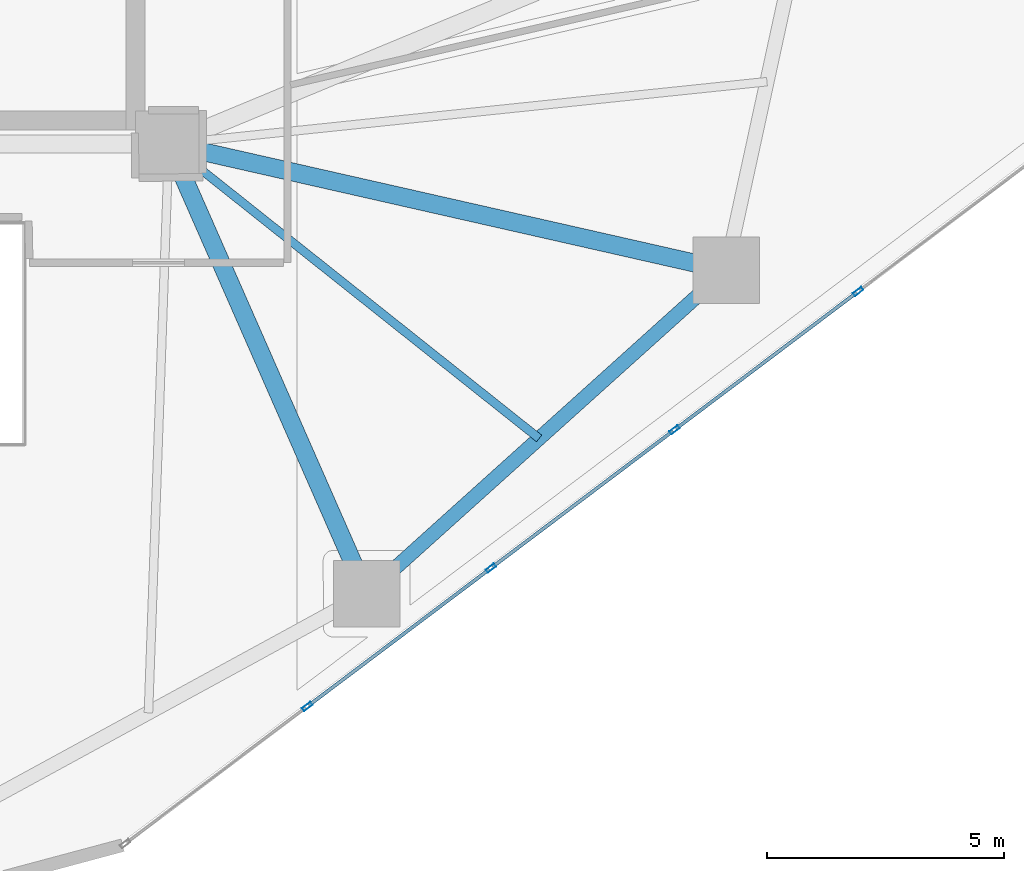
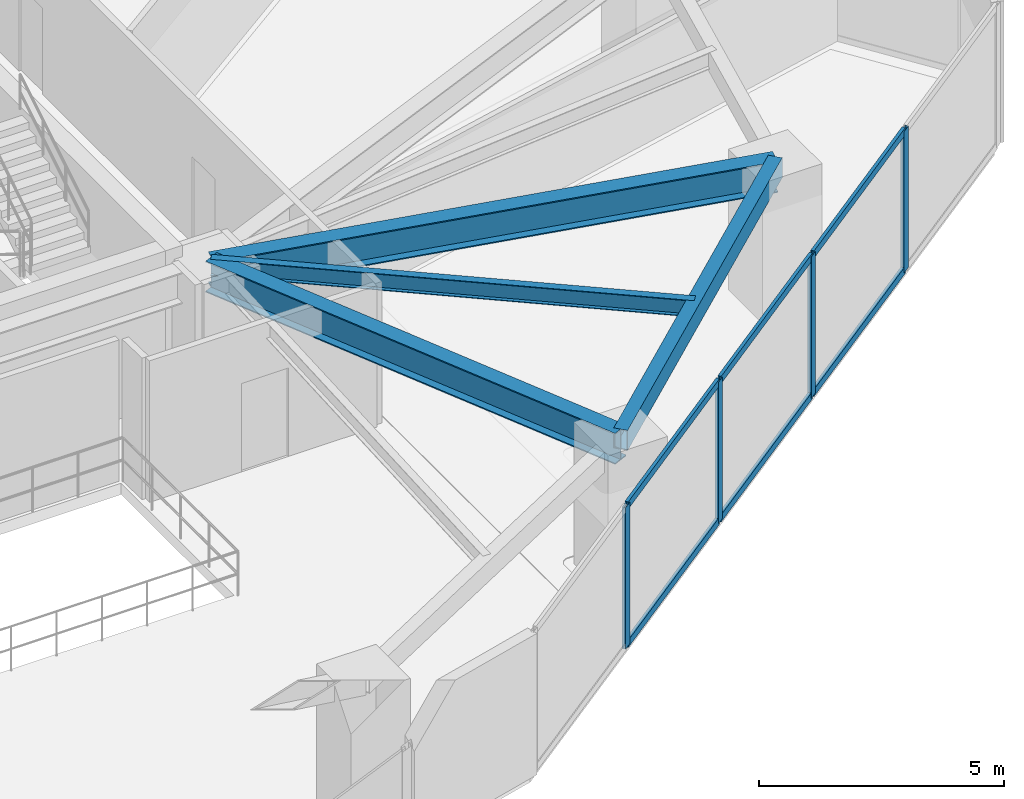
# One storey, part 9 of 23: 10 members, 4 beams, 1 element without a shape of its own.
"""IFC4 building model written with IfcOpenShell, lengths in metres."""

from ifc_helpers import new_model, si_unit, direction, frame, origin, origin_2d, place, context, subcontext, project, spatial, hollow_rectangle, i_section, extrude, source, transform, mapped, material, layer, layer_set, material_profile, profile_set, type_object, type_shapes, element, aggregate, save


model = new_model("IFC4")

# Units and contexts
model_context = context("Model", 3, precision=1e-05, world=origin(), true_north=direction((0.0, 1.0)))
body_context = subcontext(model_context, "Body", "Model", "MODEL_VIEW")
ifc_project = project(units=[si_unit("LENGTHUNIT", "METRE"), si_unit("AREAUNIT", "SQUARE_METRE"), si_unit("VOLUMEUNIT", "CUBIC_METRE"), si_unit("PLANEANGLEUNIT", "RADIAN"), si_unit("MASSUNIT", "GRAM", prefix="KILO")], contexts=[model_context])

# Site, building, storey
site_placement = place(None, origin())
site = spatial("IfcSite", under=ifc_project, at=site_placement, CompositionType="ELEMENT")
building_placement = place(site_placement, origin())
building = spatial("IfcBuilding", under=site, at=building_placement, Name="Talar Marvaseh", CompositionType="ELEMENT")
storey_placement = place(building_placement, frame((0.0, 0.0, 69.60009765625)))
storey = spatial("IfcBuildingStorey", under=building, at=storey_placement, Name="L17", CompositionType="ELEMENT", Elevation=69.60009765625)

# Beams
ifc_material_1 = material(Name="Steel S355", Category="steel")
ifc_material_profile_1 = material_profile(ifc_material_1, hollow_rectangle(XDim=0.300048828125, YDim=0.5, WallThickness=0.02001953125, at=origin_2d()), Name="RHS500x300x20")
ifc_profile_set_1 = profile_set([ifc_material_profile_1], Name="Steel S355")
beam_type_1 = type_object("IfcBeamType", Name="Zone 1 Perimeter Spandrel Beam RHS500x300x20", PredefinedType="SPANDREL", material=ifc_profile_set_1)
beam_1_placement = place(storey_placement, frame((45.0439453125, 22.840087890625, 3.27001953125), z_axis=(-0.743257224494, -0.669005753516, 0.0), x_axis=(0.669005753516, -0.743257224494, 0.0)))
element("IfcBeam", 1, at=beam_1_placement, inside=storey, type_object=beam_type_1, Name="L17 Zone 1 Perimeter Spandrel Beam RHS500x300x20", PredefinedType="SPANDREL", context=body_context, shape_type="SweptSolid", body=[
    extrude(hollow_rectangle(XDim=0.300048828125, YDim=0.5, WallThickness=0.02001953125, at=origin_2d()), origin(), (0.0, 0.0, 1.0), 10.19287109375),
])
ifc_material_profile_2 = material_profile(ifc_material_1, i_section(OverallWidth=0.381103515625, OverallDepth=0.77294921875, WebThickness=0.0166015625, FlangeThickness=0.027099609375, at=origin_2d()), Name="W760x257")
ifc_profile_set_2 = profile_set([ifc_material_profile_2], Name="Steel S355")
beam_type_2 = type_object("IfcBeamType", Name="Zone 1 Radial Floor Girder W760x257", PredefinedType="BEAM", material=ifc_profile_set_2)
beam_2_placement = place(storey_placement, frame((45.0439453125, 22.840087890625, 3.13330078125), z_axis=(-0.975296900374, 0.220898067263, 0.0), x_axis=(-0.220898067263, -0.975296900374, 0.0)))
element("IfcBeam", 2, at=beam_2_placement, inside=storey, type_object=beam_type_2, Name="L17 Zone 1 Radial Floor Girder W760x257", PredefinedType="BEAM", context=body_context, shape_type="SweptSolid", body=[
    extrude(i_section(OverallWidth=0.381103515625, OverallDepth=0.77294921875, WebThickness=0.0166015625, FlangeThickness=0.027099609375, at=origin_2d()), origin(), (0.0, 0.0, 1.0), 12.041259765625),
])
beam_3_placement = place(storey_placement, frame((37.468017578125, 16.02099609375, 3.13330078125), z_axis=(-0.402512625991, 0.915414433969, 0.0), x_axis=(-0.915414433969, -0.402512625991, 0.0)))
element("IfcBeam", 3, at=beam_3_placement, inside=storey, type_object=beam_type_2, Name="L17 Zone 1 Radial Floor Girder W760x257", PredefinedType="BEAM", context=body_context, shape_type="SweptSolid", body=[
    extrude(i_section(OverallWidth=0.381103515625, OverallDepth=0.77294921875, WebThickness=0.0166015625, FlangeThickness=0.027099609375, at=origin_2d()), origin(), (0.0, 0.0, 1.0), 10.35498046875),
])
ifc_material_profile_3 = material_profile(ifc_material_1, i_section(OverallWidth=0.179931640625, OverallDepth=0.4130859375, WebThickness=0.009765625, FlangeThickness=0.01611328125, at=origin_2d()), Name="W410x75")
ifc_profile_set_3 = profile_set([ifc_material_profile_3], Name="Steel S355")
beam_type_3 = type_object("IfcBeamType", Name="Zone 1 Secondary Floor Joist W410x75", PredefinedType="JOIST", material=ifc_profile_set_3)
beam_4_placement = place(storey_placement, frame((41.1044921875, 19.294189453125, 3.3134765625), z_axis=(-0.782711925261, 0.622384159546, 0.0), x_axis=(-0.622384159546, -0.782711925261, 0.0)))
element("IfcBeam", 4, at=beam_4_placement, inside=storey, type_object=beam_type_3, Name="L17 Zone 1 Secondary Floor Joist W410x75", PredefinedType="JOIST", context=body_context, shape_type="SweptSolid", body=[
    extrude(i_section(OverallWidth=0.179931640625, OverallDepth=0.4130859375, WebThickness=0.009765625, FlangeThickness=0.01611328125, at=origin_2d()), origin(), (0.0, 0.0, 1.0), 9.970947265625),
])

# Curtain wall, members
ifc_material_2 = material(Name="Architectural Aluminium", Category="aluminium")
ifc_layer = layer(ifc_material_2, 0.219970703125)
ifc_layer_set = layer_set([ifc_layer], Name="Architectural Aluminium")
curtain_wall_type = type_object("IfcCurtainWallType", Name="Unitised Low-E Museum Curtain Wall Z1", PredefinedType="NOTDEFINED", material=ifc_layer_set)
curtain_wall_placement = place(storey_placement, origin())
curtain_wall = element("IfcCurtainWall", 5, at=curtain_wall_placement, inside=storey, type_object=curtain_wall_type, Name="L17 Unitised Low-E Museum Curtain Wall Z1", PredefinedType="NOTDEFINED")
ifc_material_profile_4 = material_profile(ifc_material_2, hollow_rectangle(XDim=0.080078125, YDim=0.219970703125, WallThickness=0.0048828125, at=origin_2d()), Name="RHS220x80x5")
ifc_profile_set_4 = profile_set([ifc_material_profile_4], Name="Architectural Aluminium")
member_type_1 = type_object("IfcMemberType", Name="Unitised Curtain Wall Heavy Mullion RHS220x80x5", PredefinedType="MULLION", material=ifc_profile_set_4)
shared_shape_1 = source(origin(), body_context, "Body", "SweptSolid", [
    extrude(hollow_rectangle(XDim=0.080078125, YDim=0.219970703125, WallThickness=0.0048828125, at=origin_2d()), origin(), (0.0, 0.0, 1.0), 3.52001953125),
])
type_shapes(member_type_1, [shared_shape_1])
member_1_placement = place(storey_placement, frame((47.82763671875, 22.391357421875, 0.0), z_axis=(0.0, 0.0, 1.0), x_axis=(0.601690673103, -0.798729199354, 0.0)))
member_1 = element("IfcMember", 6, at=member_1_placement, type_object=member_type_1, Name="CW-Z1 mullion 2", PredefinedType="MULLION", context=body_context, shape_type="MappedRepresentation", body=[
    mapped(shared_shape_1, transform((0.0, 0.0, 0.0), x_axis=(1.0, 0.0, 0.0), y_axis=(0.0, 1.0, 0.0), z_axis=(0.0, 0.0, 1.0), scale=1.0)),
])
member_2_placement = place(storey_placement, frame((43.95751953125, 19.475830078125, 0.0), z_axis=(0.0, 0.0, 1.0), x_axis=(0.601690673103, -0.798729199354, 0.0)))
member_2 = element("IfcMember", 7, at=member_2_placement, type_object=member_type_1, Name="CW-Z1 mullion 3", PredefinedType="MULLION", context=body_context, shape_type="MappedRepresentation", body=[
    mapped(shared_shape_1, transform((0.0, 0.0, 0.0), x_axis=(1.0, 0.0, 0.0), y_axis=(0.0, 1.0, 0.0), z_axis=(0.0, 0.0, 1.0), scale=1.0)),
])
member_3_placement = place(storey_placement, frame((40.08740234375, 16.560546875, 0.0), z_axis=(0.0, 0.0, 1.0), x_axis=(0.601690673103, -0.798729199354, 0.0)))
member_3 = element("IfcMember", 8, at=member_3_placement, type_object=member_type_1, Name="CW-Z1 mullion 4", PredefinedType="MULLION", context=body_context, shape_type="MappedRepresentation", body=[
    mapped(shared_shape_1, transform((0.0, 0.0, 0.0), x_axis=(1.0, 0.0, 0.0), y_axis=(0.0, 1.0, 0.0), z_axis=(0.0, 0.0, 1.0), scale=1.0)),
])
member_4_placement = place(storey_placement, frame((36.21728515625, 13.64501953125, 0.0), z_axis=(0.0, 0.0, 1.0), x_axis=(0.601690673103, -0.798729199354, 0.0)))
member_4 = element("IfcMember", 9, at=member_4_placement, type_object=member_type_1, Name="CW-Z1 mullion 5", PredefinedType="MULLION", context=body_context, shape_type="MappedRepresentation", body=[
    mapped(shared_shape_1, transform((0.0, 0.0, 0.0), x_axis=(1.0, 0.0, 0.0), y_axis=(0.0, 1.0, 0.0), z_axis=(0.0, 0.0, 1.0), scale=1.0)),
])
ifc_material_profile_5 = material_profile(ifc_material_2, hollow_rectangle(XDim=0.074951171875, YDim=0.179931640625, WallThickness=0.0048828125, at=origin_2d()), Name="RHS180x75x5")
ifc_profile_set_5 = profile_set([ifc_material_profile_5], Name="Architectural Aluminium")
member_type_2 = type_object("IfcMemberType", Name="Unitised Curtain Wall Transom RHS180x75x5", PredefinedType="USERDEFINED", material=ifc_profile_set_5)
shared_shape_2 = source(origin(), body_context, "Body", "SweptSolid", [
    extrude(hollow_rectangle(XDim=0.074951171875, YDim=0.179931640625, WallThickness=0.0048828125, at=origin_2d()), origin(), (0.0, 0.0, 1.0), 4.765380859375),
])
member_5_placement = place(storey_placement, frame((43.925537109375, 19.451904296875, 0.037353515625), z_axis=(-0.798707101238, -0.601720006674, 0.0), x_axis=(0.601720006674, -0.798707101238, 0.0)))
member_5 = element("IfcMember", 10, at=member_5_placement, type_object=member_type_2, Name="CW-Z1 transom 3.1", ObjectType="TRANSOM", PredefinedType="USERDEFINED", context=body_context, shape_type="MappedRepresentation", body=[
    mapped(shared_shape_2, transform((0.0, 0.0, 0.0), x_axis=(1.0, 0.0, 0.0), y_axis=(0.0, 1.0, 0.0), z_axis=(0.0, 0.0, 1.0), scale=1.0)),
])
member_6_placement = place(storey_placement, frame((43.925537109375, 19.451904296875, 3.482421875), z_axis=(-0.798707101238, -0.601720006674, 0.0), x_axis=(0.601720006674, -0.798707101238, 0.0)))
member_6 = element("IfcMember", 11, at=member_6_placement, type_object=member_type_2, Name="CW-Z1 transom 3.2", ObjectType="TRANSOM", PredefinedType="USERDEFINED", context=body_context, shape_type="MappedRepresentation", body=[
    mapped(shared_shape_2, transform((0.0, 0.0, 0.0), x_axis=(1.0, 0.0, 0.0), y_axis=(0.0, 1.0, 0.0), z_axis=(0.0, 0.0, 1.0), scale=1.0)),
])
shared_shape_3 = source(origin(), body_context, "Body", "SweptSolid", [
    extrude(hollow_rectangle(XDim=0.074951171875, YDim=0.179931640625, WallThickness=0.0048828125, at=origin_2d()), origin(), (0.0, 0.0, 1.0), 4.76513671875),
])
type_shapes(member_type_2, [shared_shape_2, shared_shape_3])
member_7_placement = place(storey_placement, frame((47.795654296875, 22.3671875, 0.037353515625), z_axis=(-0.798731723334, -0.601687322568, 0.0), x_axis=(0.601687322568, -0.798731723334, 0.0)))
member_7 = element("IfcMember", 12, at=member_7_placement, type_object=member_type_2, Name="CW-Z1 transom 2.1", ObjectType="TRANSOM", PredefinedType="USERDEFINED", context=body_context, shape_type="MappedRepresentation", body=[
    mapped(shared_shape_3, transform((0.0, 0.0, 0.0), x_axis=(1.0, 0.0, 0.0), y_axis=(0.0, 1.0, 0.0), z_axis=(0.0, 0.0, 1.0), scale=1.0)),
])
member_8_placement = place(storey_placement, frame((47.795654296875, 22.3671875, 3.482421875), z_axis=(-0.798731723334, -0.601687322568, 0.0), x_axis=(0.601687322568, -0.798731723334, 0.0)))
member_8 = element("IfcMember", 13, at=member_8_placement, type_object=member_type_2, Name="CW-Z1 transom 2.2", ObjectType="TRANSOM", PredefinedType="USERDEFINED", context=body_context, shape_type="MappedRepresentation", body=[
    mapped(shared_shape_3, transform((0.0, 0.0, 0.0), x_axis=(1.0, 0.0, 0.0), y_axis=(0.0, 1.0, 0.0), z_axis=(0.0, 0.0, 1.0), scale=1.0)),
])
member_9_placement = place(storey_placement, frame((40.055419921875, 16.536376953125, 0.037353515625), z_axis=(-0.798731723334, -0.601687322568, 0.0), x_axis=(0.601687322568, -0.798731723334, 0.0)))
member_9 = element("IfcMember", 14, at=member_9_placement, type_object=member_type_2, Name="CW-Z1 transom 4.1", ObjectType="TRANSOM", PredefinedType="USERDEFINED", context=body_context, shape_type="MappedRepresentation", body=[
    mapped(shared_shape_3, transform((0.0, 0.0, 0.0), x_axis=(1.0, 0.0, 0.0), y_axis=(0.0, 1.0, 0.0), z_axis=(0.0, 0.0, 1.0), scale=1.0)),
])
member_10_placement = place(storey_placement, frame((40.055419921875, 16.536376953125, 3.482421875), z_axis=(-0.798731723334, -0.601687322568, 0.0), x_axis=(0.601687322568, -0.798731723334, 0.0)))
member_10 = element("IfcMember", 15, at=member_10_placement, type_object=member_type_2, Name="CW-Z1 transom 4.2", ObjectType="TRANSOM", PredefinedType="USERDEFINED", context=body_context, shape_type="MappedRepresentation", body=[
    mapped(shared_shape_3, transform((0.0, 0.0, 0.0), x_axis=(1.0, 0.0, 0.0), y_axis=(0.0, 1.0, 0.0), z_axis=(0.0, 0.0, 1.0), scale=1.0)),
])
aggregate(curtain_wall, [member_1, member_2, member_3, member_4, member_7, member_8, member_5, member_6, member_9, member_10])

save(model, "model.ifc")
